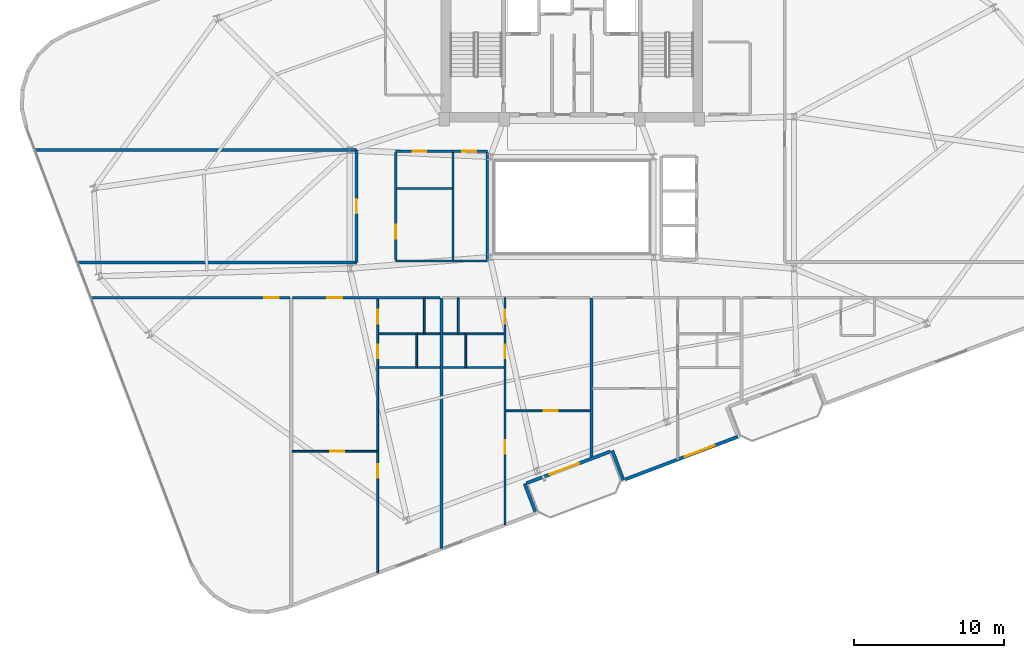
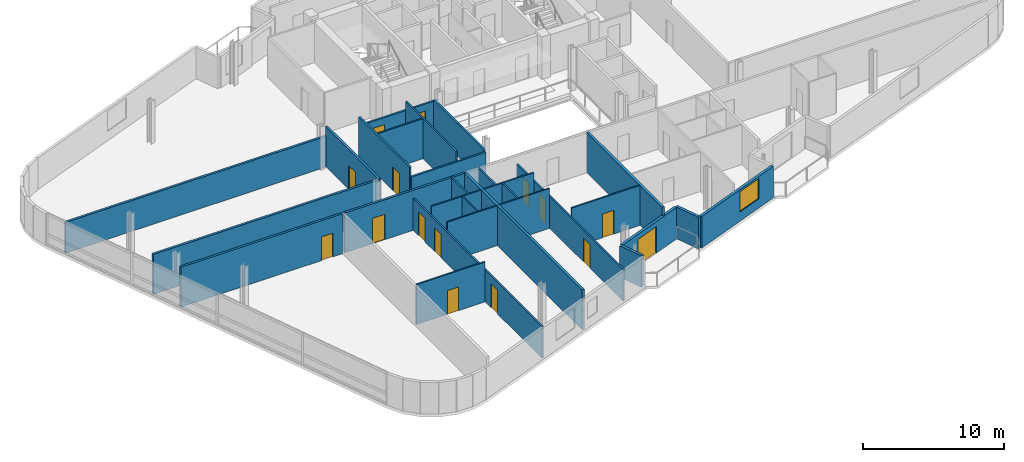
# One storey, part 14 of 20: 29 walls, 15 doors, 1 window, 16 openings.
"""IFC4 building model written with IfcOpenShell, lengths in metres."""

import ifcopenshell
import ifcopenshell.guid

model = None  # the IFC model being written
_history = None  # IfcOwnerHistory: only IFC2X3 demands one
_inside = {}  # id of a spatial element -> (the spatial element, [elements in it])
_under = {}  # id of a project, library or spatial element -> (it, [spatial elements below it])
_declared = {}  # id of a project -> (the project, [libraries it declares])
_typed = {}  # id of a type object -> (the type object, [elements of that type])
_made_of = {}  # id of a material, layer set ... -> (it, [elements and type objects made of it])


def new_model(schema):
    """Start an empty IFC model of exactly this schema.

    Asked for "IFC4X3", IfcOpenShell would pick the latest addendum, in which some entities
    have other attributes; the version numbers below select the first issue.
    IFC2X3 requires an IfcOwnerHistory on every rooted entity: one is made here for all.
    """
    global model, _history
    if schema == "IFC4X3":
        model = ifcopenshell.file(schema_version=(4, 3, 0, 0))
    else:
        model = ifcopenshell.file(schema=schema)
    _inside.clear()
    _under.clear()
    _declared.clear()
    _typed.clear()
    _made_of.clear()
    _history = None
    if model.schema == "IFC2X3":
        org = make("IfcOrganization", Name="unknown")
        user = make(
            "IfcPersonAndOrganization",
            ThePerson=make("IfcPerson", FamilyName="unknown"),
            TheOrganization=org,
        )
        app = make(
            "IfcApplication",
            ApplicationDeveloper=org,
            Version="unknown",
            ApplicationFullName="unknown",
            ApplicationIdentifier="unknown",
        )
        _history = make(
            "IfcOwnerHistory",
            OwningUser=user,
            OwningApplication=app,
            ChangeAction="ADDED",
            CreationDate=0,
        )
    return model


def make(cls, **values):
    """One entity of the class cls with the attributes given. An attribute that is None is left unset."""
    return model.create_entity(
        cls, **{name: value for name, value in values.items() if value is not None}
    )


def rooted(cls, **values):
    """An entity with a GlobalId (a new one), such as an element, a storey or a relation."""
    return make(cls, GlobalId=ifcopenshell.guid.new(), OwnerHistory=_history, **values)


def si_unit(unit_type, name, prefix=None):
    """IfcSIUnit, for example si_unit("LENGTHUNIT", "METRE", prefix="MILLI")."""
    return make("IfcSIUnit", UnitType=unit_type, Prefix=prefix, Name=name)


def assignment(units):
    """IfcUnitAssignment: the units of a project."""
    return None if units is None else make("IfcUnitAssignment", Units=units)


def point(xyz):
    """IfcCartesianPoint."""
    return None if xyz is None else make("IfcCartesianPoint", Coordinates=xyz)


def direction(xyz):
    """IfcDirection."""
    return None if xyz is None else make("IfcDirection", DirectionRatios=xyz)


def frame(location, z_axis=None, x_axis=None):
    """IfcAxis2Placement3D, a coordinate frame: its origin and axes. An axis left out is left unset."""
    return make(
        "IfcAxis2Placement3D",
        Location=point(location),
        Axis=direction(z_axis),
        RefDirection=direction(x_axis),
    )


def frame_2d(location, x_axis=None):
    """IfcAxis2Placement2D, a coordinate frame in the plane: its origin and x axis."""
    return make(
        "IfcAxis2Placement2D", Location=point(location), RefDirection=direction(x_axis)
    )


def origin():
    """The frame at (0, 0, 0) with its axes left unset."""
    return frame((0.0, 0.0, 0.0))


def place(relative_to, where):
    """IfcLocalPlacement: puts the frame where relative to a parent placement (None: the world)."""
    return make(
        "IfcLocalPlacement", PlacementRelTo=relative_to, RelativePlacement=where
    )


def context(
    kind, dimensions, precision=None, world=None, true_north=None, identifier=None
):
    """IfcGeometricRepresentationContext, for example the 3D "Model" context."""
    return make(
        "IfcGeometricRepresentationContext",
        ContextIdentifier=identifier,
        ContextType=kind,
        CoordinateSpaceDimension=dimensions,
        Precision=precision,
        WorldCoordinateSystem=world,
        TrueNorth=true_north,
    )


def subcontext(parent, identifier, kind, view, scale=None):
    """IfcGeometricRepresentationSubContext, for example "Body" below "Model"."""
    return make(
        "IfcGeometricRepresentationSubContext",
        ContextIdentifier=identifier,
        ContextType=kind,
        ParentContext=parent,
        TargetScale=scale,
        TargetView=view,
    )


def project(units=None, contexts=None):
    """IfcProject with its units and contexts."""
    return rooted(
        "IfcProject",
        Name="project",
        RepresentationContexts=contexts,
        UnitsInContext=assignment(units),
    )


def spatial(cls, under=None, at=None, **own):
    """A site, building, storey or space (cls), placed at a placement, below another one or the project."""
    s = rooted(cls, ObjectPlacement=at, **own)
    if under is not None:
        _under.setdefault(under.id(), (under, []))[1].append(s)
    return s


def profile(cls, at=None, kind="AREA", **sizes):
    """A parametric profile (cls). Its sizes go by their IFC names, for example OverallWidth=200.0."""
    return make(cls, ProfileType=kind, Position=at, **sizes)


def rectangle(**sizes):
    """IfcRectangleProfileDef."""
    return profile("IfcRectangleProfileDef", **sizes)


def extrude(swept, where, along, depth):
    """IfcExtrudedAreaSolid: the profile swept, set in the frame where, extruded along a direction by depth."""
    return make(
        "IfcExtrudedAreaSolid",
        SweptArea=swept,
        Position=where,
        ExtrudedDirection=direction(along),
        Depth=depth,
    )


def shape(context_of_items, identifier, shape_type, items):
    """IfcShapeRepresentation: the items that make up one representation, for example the "Body"."""
    return make(
        "IfcShapeRepresentation",
        ContextOfItems=context_of_items,
        RepresentationIdentifier=identifier,
        RepresentationType=shape_type,
        Items=items,
    )


def material(Name=None, Category=None):
    """IfcMaterial."""
    return make("IfcMaterial", Name=Name, Category=Category)


def layer(
    of_material, thickness, ventilated=None, Name=None, Category=None, Priority=None
):
    """IfcMaterialLayer: one layer of a wall or slab, of a material (None: an air gap)."""
    return make(
        "IfcMaterialLayer",
        Material=of_material,
        LayerThickness=thickness,
        IsVentilated=ventilated,
        Name=Name,
        Category=Category,
        Priority=Priority,
    )


def layer_set(layers, Name=None):
    """IfcMaterialLayerSet."""
    return make("IfcMaterialLayerSet", MaterialLayers=layers, LayerSetName=Name)


def made_of(thing, what):
    """Note that an element or type object is made of a material, layer set ...; save() writes the relation."""
    if what is not None:
        _made_of.setdefault(what.id(), (what, []))[1].append(thing)
    return thing


def type_object(cls, material=None, **own):
    """A type object (cls), such as IfcWallType, which elements share."""
    return made_of(rooted(cls, **own), material)


def element(
    cls,
    number,
    at=None,
    inside=None,
    cuts=None,
    type_object=None,
    material=None,
    context=None,
    identifier="Body",
    shape_type=None,
    held_by="IfcProductDefinitionShape",
    body=None,
    shapes=None,
    **own,
):
    """One element of the class cls, such as IfcWall. Its Tag is "e" and its number.

    at: its placement. inside: the storey or other place that contains it. cuts: it is an
    opening in that element (IfcRelVoidsElement). A single representation is given by context,
    identifier, shape_type and body (its items); several are given by shapes. held_by: the class
    of the entity that holds the representations. save() writes the other relations.
    """
    e = rooted(cls, Tag="e%d" % number, ObjectPlacement=at, **own)
    if body is not None:
        shapes = [shape(context, identifier, shape_type, body)]
    if shapes is not None:
        e.Representation = make(held_by, Representations=shapes)
    if inside is not None:
        _inside.setdefault(inside.id(), (inside, []))[1].append(e)
    if cuts is not None:
        rooted(
            "IfcRelVoidsElement", RelatingBuildingElement=cuts, RelatedOpeningElement=e
        )
    if type_object is not None:
        _typed.setdefault(type_object.id(), (type_object, []))[1].append(e)
    return made_of(e, material)


def fill(opening, filler):
    """IfcRelFillsElement: the door or window that sits in an opening."""
    return rooted(
        "IfcRelFillsElement",
        RelatingOpeningElement=opening,
        RelatedBuildingElement=filler,
    )


def aggregate(whole, parts):
    """IfcRelAggregates: a whole, such as a stair, and the parts it consists of."""
    return rooted("IfcRelAggregates", RelatingObject=whole, RelatedObjects=parts)


def save(model, path):
    """Write the relations noted so far, then the file.

    IfcRelAggregates (storeys below a building ...), IfcRelContainedInSpatialStructure (elements
    in a storey), IfcRelDefinesByType, IfcRelAssociatesMaterial and IfcRelDeclares: one each for
    every whole, place, type object, material and project.
    """
    for whole, parts in _under.values():
        aggregate(whole, parts)
    for where, things in _inside.values():
        rooted(
            "IfcRelContainedInSpatialStructure",
            RelatedElements=things,
            RelatingStructure=where,
        )
    for kind, things in _typed.values():
        rooted("IfcRelDefinesByType", RelatedObjects=things, RelatingType=kind)
    for what, things in _made_of.values():
        rooted("IfcRelAssociatesMaterial", RelatedObjects=things, RelatingMaterial=what)
    for by, libraries in _declared.values():
        rooted("IfcRelDeclares", RelatingContext=by, RelatedDefinitions=libraries)
    model.write(path)


model = new_model("IFC4")

# Units and contexts
model_context = context("Model", 3, precision=1e-05, world=origin(), true_north=direction((0.0, 1.0)))
body_context = subcontext(model_context, "Body", "Model", "MODEL_VIEW")
ifc_project = project(units=[si_unit("LENGTHUNIT", "METRE"), si_unit("AREAUNIT", "SQUARE_METRE"), si_unit("VOLUMEUNIT", "CUBIC_METRE"), si_unit("PLANEANGLEUNIT", "RADIAN"), si_unit("MASSUNIT", "GRAM", prefix="KILO")], contexts=[model_context])

# Site, building, storey
site_placement = place(None, origin())
site = spatial("IfcSite", under=ifc_project, at=site_placement, CompositionType="ELEMENT")
building_placement = place(site_placement, origin())
building = spatial("IfcBuilding", under=site, at=building_placement, Name="Varnelok Gate Tower", CompositionType="ELEMENT")
storey_placement = place(building_placement, frame((0.0, 0.0, 216.39990234375)))
storey = spatial("IfcBuildingStorey", under=building, at=storey_placement, Name="L55", CompositionType="ELEMENT", Elevation=216.39990234375)

# Wall, opening, door
ifc_material_1 = material(Name="Concrete C45/55", Category="concrete")
ifc_layer_1 = layer(ifc_material_1, 0.219970703125)
ifc_layer_set_1 = layer_set([ifc_layer_1], Name="Concrete C45/55")
wall_type_1 = type_object("IfcWallType", Name="EW-BALC-220", PredefinedType="SOLIDWALL", material=ifc_layer_set_1)
wall_1_placement = place(storey_placement, frame((41.783203125, 6.6142578125, 0.0), z_axis=(0.0, 0.0, 1.0), x_axis=(-0.93521416643, -0.354082565101, 0.0)))
wall_1 = element("IfcWall", 1, at=wall_1_placement, inside=storey, type_object=wall_type_1, Name="L55 South Terrace Envelope Wall 1", PredefinedType="SOLIDWALL", context=body_context, shape_type="SweptSolid", body=[
    extrude(rectangle(XDim=6.0, YDim=0.219970703125, at=frame_2d((3.0, 0.0))), origin(), (0.0, 0.0, 1.0), 2.72998046875),
])
opening_1_placement = place(wall_1_placement, frame((2.260009765625, 0.0, 0.0)))
opening_1 = element("IfcOpeningElement", 2, at=opening_1_placement, cuts=wall_1, Name="Opening BD-2", PredefinedType="OPENING", context=body_context, shape_type="SweptSolid", body=[
    extrude(rectangle(XDim=2.10009765625, YDim=2.300048828125, at=frame_2d((1.050048828125, 1.14990234375))), frame((0.0, 0.119873046875, 0.0), z_axis=(0.0, -1.0, 0.0), x_axis=(1.0, 0.0, 0.0)), (0.0, 0.0, 1.0), 0.239990234375),
])
ifc_material_2 = material(Name="Anodized Aluminum Alloy 6063-T6", Category="aluminium")
door_type_1 = type_object("IfcDoorType", Name="DR-EXT-SLID2100", OperationType="SLIDING_TO_LEFT", PredefinedType="DOOR", material=ifc_material_2)
door_1_placement = place(opening_1_placement, origin())
door_1 = element("IfcDoor", 3, at=door_1_placement, inside=storey, type_object=door_type_1, Name="L55 South Balcony Glazed Door 1", OperationType="SLIDING_TO_LEFT", OverallHeight=2.300048828125, OverallWidth=2.10009765625, PredefinedType="DOOR", context=body_context, shape_type="SweptSolid", body=[
    extrude(rectangle(XDim=2.10009765625, YDim=2.300048828125, at=frame_2d((1.050048828125, 1.14990234375))), frame((0.0, 0.02490234375, 0.0), z_axis=(0.0, -1.0, 0.0), x_axis=(1.0, 0.0, 0.0)), (0.0, 0.0, 1.0), 0.050048828125),
])
fill(opening_1, door_1)

# Walls
wall_2_placement = place(storey_placement, frame((36.75537109375, 2.609619140625, 0.0), z_axis=(0.0, 0.0, 1.0), x_axis=(-0.354020680661, 0.935237594232, 0.0)))
element("IfcWall", 4, at=wall_2_placement, inside=storey, type_object=wall_type_1, Name="L55 Perimeter Facade Closure Wall 8", PredefinedType="SOLIDWALL", context=body_context, shape_type="SweptSolid", body=[
    extrude(rectangle(XDim=1.97509765625, YDim=0.219970703125, at=frame_2d((0.987548828125, 0.0))), origin(), (0.0, 0.0, 1.0), 2.72998046875),
])
wall_3_placement = place(storey_placement, frame((41.891845703125, 6.666015625, 0.0), z_axis=(0.0, 0.0, 1.0), x_axis=(0.354128469405, -0.935196785258, 0.0)))
element("IfcWall", 5, at=wall_3_placement, inside=storey, type_object=wall_type_1, Name="L55 Perimeter Facade Closure Wall 9", PredefinedType="SOLIDWALL", context=body_context, shape_type="SweptSolid", body=[
    extrude(rectangle(XDim=2.099853515625, YDim=0.219970703125, at=frame_2d((1.0498046875, 0.0))), origin(), (0.0, 0.0, 1.0), 2.72998046875),
])

# Wall, opening, window
wall_4_placement = place(storey_placement, frame((42.75244140625, 4.746337890625, 0.0), z_axis=(0.0, 0.0, 1.0), x_axis=(0.935216926991, 0.354075273733, 0.0)))
wall_4 = element("IfcWall", 6, at=wall_4_placement, inside=storey, type_object=wall_type_1, Name="L55 Perimeter Facade Closure Wall 10", PredefinedType="SOLIDWALL", context=body_context, shape_type="SweptSolid", body=[
    extrude(rectangle(XDim=8.034912109375, YDim=0.219970703125, at=frame_2d((4.017578125, 0.0))), origin(), (0.0, 0.0, 1.0), 2.72998046875),
])
opening_2_placement = place(wall_4_placement, frame((4.273193359375, 0.0, 0.800048828125)))
opening_2 = element("IfcOpeningElement", 7, at=opening_2_placement, cuts=wall_4, Name="Opening WN4", PredefinedType="OPENING", context=body_context, shape_type="SweptSolid", body=[
    extrude(rectangle(XDim=2.10009765625, YDim=1.75, at=frame_2d((1.050048828125, 0.875))), frame((0.0, 0.119873046875, 0.0), z_axis=(0.0, -1.0, 0.0), x_axis=(1.0, 0.0, 0.0)), (0.0, 0.0, 1.0), 0.239990234375),
])
ifc_material_3 = material(Name="Low-E Laminated Double Glazing IGU", Category="glass")
window_type = type_object("IfcWindowType", Name="WN-SUI-2100", PartitioningType="SINGLE_PANEL", PredefinedType="WINDOW", material=ifc_material_3)
window_placement = place(opening_2_placement, origin())
window = element("IfcWindow", 8, at=window_placement, inside=storey, type_object=window_type, Name="L55 Perimeter Vision Window 10", OverallHeight=1.75, OverallWidth=2.10009765625, PartitioningType="SINGLE_PANEL", PredefinedType="WINDOW", context=body_context, shape_type="SweptSolid", body=[
    extrude(rectangle(XDim=2.10009765625, YDim=1.75, at=frame_2d((1.050048828125, 0.875))), frame((0.0, 0.030029296875, 0.0), z_axis=(0.0, -1.0, 0.0), x_axis=(1.0, 0.0, 0.0)), (0.0, 0.0, 1.0), 0.06005859375),
])
fill(opening_2, window)

# Wall, opening, door
ifc_material_4 = material(Name="Gypsum Plasterboard Acoustic Partition", Category="gypsum")
ifc_layer_2 = layer(ifc_material_4, 0.179931640625)
ifc_layer_set_2 = layer_set([ifc_layer_2], Name="Gypsum Plasterboard Acoustic Partition")
wall_type_2 = type_object("IfcWallType", Name="PW-CORR-180", PredefinedType="PARTITIONING", material=ifc_layer_set_2)
wall_5_placement = place(storey_placement, frame((7.196044921875, 16.85009765625, 0.0), z_axis=(0.0, 0.0, 1.0), x_axis=(1.0, 0.0, 0.0)))
wall_5 = element("IfcWall", 9, at=wall_5_placement, inside=storey, type_object=wall_type_2, Name="Interior Partition", PredefinedType="PARTITIONING", context=body_context, shape_type="SweptSolid", body=[
    extrude(rectangle(XDim=13.223876953125, YDim=0.179931640625, at=frame_2d((6.61181640625, 0.0))), origin(), (0.0, 0.0, 1.0), 3.4501953125),
])
opening_3_placement = place(wall_5_placement, frame((11.50390625, 0.0, 0.0)))
opening_3 = element("IfcOpeningElement", 10, at=opening_3_placement, cuts=wall_5, Name="Opening D-I2", PredefinedType="OPENING", context=body_context, shape_type="SweptSolid", body=[
    extrude(rectangle(XDim=0.949951171875, YDim=2.050048828125, at=frame_2d((0.47509765625, 1.02490234375))), frame((0.0, 0.099853515625, 0.0), z_axis=(0.0, -1.0, 0.0), x_axis=(1.0, 0.0, 0.0)), (0.0, 0.0, 1.0), 0.199951171875),
])
ifc_material_5 = material(Name="Engineered Hardwood Timber", Category="wood")
door_type_2 = type_object("IfcDoorType", Name="DR-INT-950", OperationType="NOTDEFINED", PredefinedType="DOOR", material=ifc_material_5)
door_2_placement = place(opening_3_placement, origin())
door_2 = element("IfcDoor", 11, at=door_2_placement, inside=storey, type_object=door_type_2, Name="L55 Wellness Spa Lounge Door", OperationType="SINGLE_SWING_LEFT", OverallHeight=2.050048828125, OverallWidth=0.949951171875, PredefinedType="DOOR", context=body_context, shape_type="SweptSolid", body=[
    extrude(rectangle(XDim=0.949951171875, YDim=2.050048828125, at=frame_2d((0.47509765625, 1.02490234375))), frame((0.0, 0.02490234375, 0.0), z_axis=(0.0, -1.0, 0.0), x_axis=(1.0, 0.0, 0.0)), (0.0, 0.0, 1.0), 0.050048828125),
])
fill(opening_3, door_2)

wall_6_placement = place(storey_placement, frame((20.580078125, 16.85009765625, 0.0), z_axis=(0.0, 0.0, 1.0), x_axis=(1.0, 0.0, 0.0)))
wall_6 = element("IfcWall", 12, at=wall_6_placement, inside=storey, type_object=wall_type_2, Name="Interior Partition", PredefinedType="PARTITIONING", context=body_context, shape_type="SweptSolid", body=[
    extrude(rectangle(XDim=9.83984375, YDim=0.179931640625, at=frame_2d((4.919921875, 0.0))), origin(), (0.0, 0.0, 1.0), 3.4501953125),
])
opening_4_placement = place(wall_6_placement, frame((2.302490234375, 0.0, 0.0)))
opening_4 = element("IfcOpeningElement", 13, at=opening_4_placement, cuts=wall_6, Name="Opening D-AP", PredefinedType="OPENING", context=body_context, shape_type="SweptSolid", body=[
    extrude(rectangle(XDim=1.0, YDim=2.199951171875, at=frame_2d((0.5, 1.10009765625))), frame((0.0, 0.099853515625, 0.0), z_axis=(0.0, -1.0, 0.0), x_axis=(1.0, 0.0, 0.0)), (0.0, 0.0, 1.0), 0.199951171875),
])
door_type_3 = type_object("IfcDoorType", Name="DR-APT-1000", OperationType="NOTDEFINED", PredefinedType="DOOR", material=ifc_material_5)
door_3_placement = place(opening_4_placement, origin())
door_3 = element("IfcDoor", 14, at=door_3_placement, inside=storey, type_object=door_type_3, Name="L55 Apartment 2 Entrance Door", OperationType="SINGLE_SWING_LEFT", OverallHeight=2.199951171875, OverallWidth=1.0, PredefinedType="DOOR", context=body_context, shape_type="SweptSolid", body=[
    extrude(rectangle(XDim=1.0, YDim=2.199951171875, at=frame_2d((0.5, 1.10009765625))), frame((0.0, 0.02490234375, 0.0), z_axis=(0.0, -1.0, 0.0), x_axis=(1.0, 0.0, 0.0)), (0.0, 0.0, 1.0), 0.050048828125),
])
fill(opening_4, door_3)

wall_7_placement = place(storey_placement, frame((24.85009765625, 19.199951171875, 0.0), z_axis=(0.0, 0.0, 1.0), x_axis=(0.0, 1.0, 0.0)))
wall_7 = element("IfcWall", 15, at=wall_7_placement, inside=storey, type_object=wall_type_2, Name="Interior Partition", PredefinedType="PARTITIONING", context=body_context, shape_type="SweptSolid", body=[
    extrude(rectangle(XDim=7.5, YDim=0.179931640625, at=frame_2d((3.75, 0.0))), origin(), (0.0, 0.0, 1.0), 3.4501953125),
])
opening_5_placement = place(wall_7_placement, frame((3.27490234375, 0.0, 0.0)))
opening_5 = element("IfcOpeningElement", 16, at=opening_5_placement, cuts=wall_7, Name="Opening D-I2", PredefinedType="OPENING", context=body_context, shape_type="SweptSolid", body=[
    extrude(rectangle(XDim=0.949951171875, YDim=2.050048828125, at=frame_2d((0.47509765625, 1.02490234375))), frame((0.0, 0.099853515625, 0.0), z_axis=(0.0, -1.0, 0.0), x_axis=(1.0, 0.0, 0.0)), (0.0, 0.0, 1.0), 0.199951171875),
])
door_4_placement = place(opening_5_placement, origin())
door_4 = element("IfcDoor", 17, at=door_4_placement, inside=storey, type_object=door_type_2, Name="L55 West Flank Room Door", OperationType="SINGLE_SWING_LEFT", OverallHeight=2.050048828125, OverallWidth=0.949951171875, PredefinedType="DOOR", context=body_context, shape_type="SweptSolid", body=[
    extrude(rectangle(XDim=0.949951171875, YDim=2.050048828125, at=frame_2d((0.47509765625, 1.02490234375))), frame((0.0, 0.02490234375, 0.0), z_axis=(0.0, -1.0, 0.0), x_axis=(1.0, 0.0, 0.0)), (0.0, 0.0, 1.0), 0.050048828125),
])
fill(opening_5, door_4)

# Walls
wall_8_placement = place(storey_placement, frame((6.306396484375, 19.199951171875, 0.0), z_axis=(0.0, 0.0, 1.0), x_axis=(1.0, 0.0, 0.0)))
element("IfcWall", 18, at=wall_8_placement, inside=storey, type_object=wall_type_2, Name="Interior Partition", PredefinedType="PARTITIONING", context=body_context, shape_type="SweptSolid", body=[
    extrude(rectangle(XDim=18.543701171875, YDim=0.179931640625, at=frame_2d((9.27197265625, 0.0))), origin(), (0.0, 0.0, 1.0), 3.4501953125),
])
wall_9_placement = place(storey_placement, frame((3.467041015625, 26.699951171875, 0.0), z_axis=(0.0, 0.0, 1.0), x_axis=(1.0, 0.0, 0.0)))
element("IfcWall", 19, at=wall_9_placement, inside=storey, type_object=wall_type_2, Name="Interior Partition", PredefinedType="PARTITIONING", context=body_context, shape_type="SweptSolid", body=[
    extrude(rectangle(XDim=21.383056640625, YDim=0.179931640625, at=frame_2d((10.69140625, 0.0))), origin(), (0.0, 0.0, 1.0), 2.662109375),
])
ifc_layer_3 = layer(ifc_material_4, 0.114990234375)
ifc_layer_set_3 = layer_set([ifc_layer_3], Name="Gypsum Plasterboard Acoustic Partition")
wall_type_3 = type_object("IfcWallType", Name="PW-ENS-125", PredefinedType="PARTITIONING", material=ifc_layer_set_3)
wall_10_placement = place(storey_placement, frame((26.3251953125, 12.199951171875, 0.0), z_axis=(0.0, 0.0, 1.0), x_axis=(1.0, 0.0, 0.0)))
element("IfcWall", 20, at=wall_10_placement, inside=storey, type_object=wall_type_3, Name="Interior Partition", PredefinedType="PARTITIONING", context=body_context, shape_type="SweptSolid", body=[
    extrude(rectangle(XDim=4.0947265625, YDim=0.114990234375, at=frame_2d((2.04736328125, 0.0))), origin(), (0.0, 0.0, 1.0), 3.4501953125),
])
wall_11_placement = place(storey_placement, frame((28.865234375, 12.199951171875, 0.0), z_axis=(0.0, 0.0, 1.0), x_axis=(0.0, 1.0, 0.0)))
element("IfcWall", 21, at=wall_11_placement, inside=storey, type_object=wall_type_3, Name="Interior Partition", PredefinedType="PARTITIONING", context=body_context, shape_type="SweptSolid", body=[
    extrude(rectangle(XDim=2.239990234375, YDim=0.114990234375, at=frame_2d((1.1201171875, 0.0))), origin(), (0.0, 0.0, 1.0), 3.4501953125),
])
wall_12_placement = place(storey_placement, frame((30.580078125, 12.199951171875, 0.0), z_axis=(0.0, 0.0, 1.0), x_axis=(1.0, 0.0, 0.0)))
element("IfcWall", 22, at=wall_12_placement, inside=storey, type_object=wall_type_3, Name="Interior Partition", PredefinedType="PARTITIONING", context=body_context, shape_type="SweptSolid", body=[
    extrude(rectangle(XDim=4.0947265625, YDim=0.114990234375, at=frame_2d((2.04736328125, 0.0))), origin(), (0.0, 0.0, 1.0), 3.4501953125),
])
wall_13_placement = place(storey_placement, frame((32.134765625, 12.199951171875, 0.0), z_axis=(0.0, 0.0, 1.0), x_axis=(0.0, 1.0, 0.0)))
element("IfcWall", 23, at=wall_13_placement, inside=storey, type_object=wall_type_3, Name="Interior Partition", PredefinedType="PARTITIONING", context=body_context, shape_type="SweptSolid", body=[
    extrude(rectangle(XDim=2.239990234375, YDim=0.114990234375, at=frame_2d((1.1201171875, 0.0))), origin(), (0.0, 0.0, 1.0), 3.4501953125),
])

# Wall, opening, door
ifc_layer_4 = layer(ifc_material_4, 0.125)
ifc_layer_set_4 = layer_set([ifc_layer_4], Name="Gypsum Plasterboard Acoustic Partition")
wall_type_4 = type_object("IfcWallType", Name="PW-PART-125", PredefinedType="PARTITIONING", material=ifc_layer_set_4)
wall_14_placement = place(storey_placement, frame((20.580078125, 6.62255859375, 0.0), z_axis=(0.0, 0.0, 1.0), x_axis=(1.0, 0.0, 0.0)))
wall_14 = element("IfcWall", 24, at=wall_14_placement, inside=storey, type_object=wall_type_4, Name="Interior Partition", PredefinedType="PARTITIONING", context=body_context, shape_type="SweptSolid", body=[
    extrude(rectangle(XDim=5.605224609375, YDim=0.125, at=frame_2d((2.802734375, 0.0))), origin(), (0.0, 0.0, 1.0), 3.4501953125),
])
opening_6_placement = place(wall_14_placement, frame((2.522216796875, 0.0, 0.0)))
opening_6 = element("IfcOpeningElement", 25, at=opening_6_placement, cuts=wall_14, Name="Opening D-I3", PredefinedType="OPENING", context=body_context, shape_type="SweptSolid", body=[
    extrude(rectangle(XDim=0.919921875, YDim=2.050048828125, at=frame_2d((0.4599609375, 1.02490234375))), frame((0.0, 0.072509765625, 0.0), z_axis=(0.0, -1.0, 0.0), x_axis=(1.0, 0.0, 0.0)), (0.0, 0.0, 1.0), 0.14501953125),
])
door_type_4 = type_object("IfcDoorType", Name="DR-INT-920", OperationType="NOTDEFINED", PredefinedType="DOOR", material=ifc_material_5)
door_5_placement = place(opening_6_placement, origin())
door_5 = element("IfcDoor", 26, at=door_5_placement, inside=storey, type_object=door_type_4, Name="L55 Apartment 2 Study Door", OperationType="SINGLE_SWING_LEFT", OverallHeight=2.050048828125, OverallWidth=0.919921875, PredefinedType="DOOR", context=body_context, shape_type="SweptSolid", body=[
    extrude(rectangle(XDim=0.919921875, YDim=2.050048828125, at=frame_2d((0.4599609375, 1.02490234375))), frame((0.0, 0.02490234375, 0.0), z_axis=(0.0, -1.0, 0.0), x_axis=(1.0, 0.0, 0.0)), (0.0, 0.0, 1.0), 0.050048828125),
])
fill(opening_6, door_5)

# Wall, openings, doors
wall_15_placement = place(storey_placement, frame((26.255126953125, -1.477783203125, 0.0), z_axis=(0.0, 0.0, 1.0), x_axis=(0.0, 1.0, 0.0)))
wall_15 = element("IfcWall", 27, at=wall_15_placement, inside=storey, type_object=wall_type_4, Name="Interior Partition", PredefinedType="PARTITIONING", context=body_context, shape_type="SweptSolid", body=[
    extrude(rectangle(XDim=18.327880859375, YDim=0.125, at=frame_2d((9.1640625, 0.0))), origin(), (0.0, 0.0, 1.0), 2.739013671875),
])
opening_7_placement = place(wall_15_placement, frame((6.319091796875, 0.0, 0.0)))
opening_7 = element("IfcOpeningElement", 28, at=opening_7_placement, cuts=wall_15, Name="Opening D-I3", PredefinedType="OPENING", context=body_context, shape_type="SweptSolid", body=[
    extrude(rectangle(XDim=0.919921875, YDim=2.050048828125, at=frame_2d((0.4599609375, 1.02490234375))), frame((0.0, 0.072509765625, 0.0), z_axis=(0.0, -1.0, 0.0), x_axis=(1.0, 0.0, 0.0)), (0.0, 0.0, 1.0), 0.14501953125),
])
opening_8_placement = place(wall_15_placement, frame((14.30517578125, 0.0, 0.0)))
opening_8 = element("IfcOpeningElement", 29, at=opening_8_placement, cuts=wall_15, Name="Opening D-WC", PredefinedType="OPENING", context=body_context, shape_type="SweptSolid", body=[
    extrude(rectangle(XDim=0.89990234375, YDim=2.050048828125, at=frame_2d((0.449951171875, 1.02490234375))), frame((0.0, 0.072509765625, 0.0), z_axis=(0.0, -1.0, 0.0), x_axis=(1.0, 0.0, 0.0)), (0.0, 0.0, 1.0), 0.14501953125),
])
opening_9_placement = place(wall_15_placement, frame((16.597900390625, 0.0, 0.0)))
opening_9 = element("IfcOpeningElement", 30, at=opening_9_placement, cuts=wall_15, Name="Opening D-I3", PredefinedType="OPENING", context=body_context, shape_type="SweptSolid", body=[
    extrude(rectangle(XDim=0.919921875, YDim=2.050048828125, at=frame_2d((0.4599609375, 1.02490234375))), frame((0.0, 0.072509765625, 0.0), z_axis=(0.0, -1.0, 0.0), x_axis=(1.0, 0.0, 0.0)), (0.0, 0.0, 1.0), 0.14501953125),
])
door_type_5 = type_object("IfcDoorType", Name="DR-BATH-900", OperationType="NOTDEFINED", PredefinedType="DOOR", material=ifc_material_5)
door_6_placement = place(opening_8_placement, origin())
door_6 = element("IfcDoor", 31, at=door_6_placement, inside=storey, type_object=door_type_5, Name="L55 Apartment 2 Bathroom Door", OperationType="SINGLE_SWING_LEFT", OverallHeight=2.050048828125, OverallWidth=0.89990234375, PredefinedType="DOOR", context=body_context, shape_type="SweptSolid", body=[
    extrude(rectangle(XDim=0.89990234375, YDim=2.050048828125, at=frame_2d((0.449951171875, 1.02490234375))), frame((0.0, 0.02490234375, 0.0), z_axis=(0.0, -1.0, 0.0), x_axis=(1.0, 0.0, 0.0)), (0.0, 0.0, 1.0), 0.050048828125),
])
fill(opening_8, door_6)
door_7_placement = place(opening_7_placement, origin())
door_7 = element("IfcDoor", 32, at=door_7_placement, inside=storey, type_object=door_type_4, Name="L55 Apartment 2 Bedroom Door", OperationType="SINGLE_SWING_RIGHT", OverallHeight=2.050048828125, OverallWidth=0.919921875, PredefinedType="DOOR", context=body_context, shape_type="SweptSolid", body=[
    extrude(rectangle(XDim=0.919921875, YDim=2.050048828125, at=frame_2d((0.4599609375, 1.02490234375))), frame((0.0, 0.02490234375, 0.0), z_axis=(0.0, -1.0, 0.0), x_axis=(1.0, 0.0, 0.0)), (0.0, 0.0, 1.0), 0.050048828125),
])
fill(opening_7, door_7)
door_8_placement = place(opening_9_placement, origin())
door_8 = element("IfcDoor", 33, at=door_8_placement, inside=storey, type_object=door_type_4, Name="L55 Apartment 2 Kitchen Door", OperationType="SINGLE_SWING_RIGHT", OverallHeight=2.050048828125, OverallWidth=0.919921875, PredefinedType="DOOR", context=body_context, shape_type="SweptSolid", body=[
    extrude(rectangle(XDim=0.919921875, YDim=2.050048828125, at=frame_2d((0.4599609375, 1.02490234375))), frame((0.0, 0.02490234375, 0.0), z_axis=(0.0, -1.0, 0.0), x_axis=(1.0, 0.0, 0.0)), (0.0, 0.0, 1.0), 0.050048828125),
])
fill(opening_9, door_8)

# Walls
wall_16_placement = place(storey_placement, frame((26.3251953125, 14.43994140625, 0.0), z_axis=(0.0, 0.0, 1.0), x_axis=(1.0, 0.0, 0.0)))
element("IfcWall", 34, at=wall_16_placement, inside=storey, type_object=wall_type_4, Name="Interior Partition", PredefinedType="PARTITIONING", context=body_context, shape_type="SweptSolid", body=[
    extrude(rectangle(XDim=4.0947265625, YDim=0.125, at=frame_2d((2.04736328125, 0.0))), origin(), (0.0, 0.0, 1.0), 3.4501953125),
])
wall_17_placement = place(storey_placement, frame((29.365234375, 14.43994140625, 0.0), z_axis=(0.0, 0.0, 1.0), x_axis=(0.0, 1.0, 0.0)))
element("IfcWall", 35, at=wall_17_placement, inside=storey, type_object=wall_type_4, Name="Interior Partition", PredefinedType="PARTITIONING", context=body_context, shape_type="SweptSolid", body=[
    extrude(rectangle(XDim=2.41015625, YDim=0.125, at=frame_2d((1.205078125, 0.0))), origin(), (0.0, 0.0, 1.0), 3.4501953125),
])

# Wall, opening, door
wall_18_placement = place(storey_placement, frame((34.814697265625, 9.31689453125, 0.0), z_axis=(0.0, 0.0, 1.0), x_axis=(1.0, 0.0, 0.0)))
wall_18 = element("IfcWall", 36, at=wall_18_placement, inside=storey, type_object=wall_type_4, Name="Interior Partition", PredefinedType="PARTITIONING", context=body_context, shape_type="SweptSolid", body=[
    extrude(rectangle(XDim=5.605224609375, YDim=0.125, at=frame_2d((2.802734375, 0.0))), origin(), (0.0, 0.0, 1.0), 3.4501953125),
])
opening_10_placement = place(wall_18_placement, frame((2.522216796875, 0.0, 0.0)))
opening_10 = element("IfcOpeningElement", 37, at=opening_10_placement, cuts=wall_18, Name="Opening D-I3", PredefinedType="OPENING", context=body_context, shape_type="SweptSolid", body=[
    extrude(rectangle(XDim=0.919921875, YDim=2.050048828125, at=frame_2d((0.4599609375, 1.02490234375))), frame((0.0, 0.072509765625, 0.0), z_axis=(0.0, -1.0, 0.0), x_axis=(1.0, 0.0, 0.0)), (0.0, 0.0, 1.0), 0.14501953125),
])
door_9_placement = place(opening_10_placement, origin())
door_9 = element("IfcDoor", 38, at=door_9_placement, inside=storey, type_object=door_type_4, Name="L55 Apartment 3 Study Door", OperationType="SINGLE_SWING_LEFT", OverallHeight=2.050048828125, OverallWidth=0.919921875, PredefinedType="DOOR", context=body_context, shape_type="SweptSolid", body=[
    extrude(rectangle(XDim=0.919921875, YDim=2.050048828125, at=frame_2d((0.4599609375, 1.02490234375))), frame((0.0, 0.02490234375, 0.0), z_axis=(0.0, -1.0, 0.0), x_axis=(1.0, 0.0, 0.0)), (0.0, 0.0, 1.0), 0.050048828125),
])
fill(opening_10, door_9)

# Wall, openings, doors
wall_19_placement = place(storey_placement, frame((34.744873046875, 1.736083984375, 0.0), z_axis=(0.0, 0.0, 1.0), x_axis=(0.0, 1.0, 0.0)))
wall_19 = element("IfcWall", 39, at=wall_19_placement, inside=storey, type_object=wall_type_4, Name="Interior Partition", PredefinedType="PARTITIONING", context=body_context, shape_type="SweptSolid", body=[
    extrude(rectangle(XDim=15.114013671875, YDim=0.125, at=frame_2d((7.55712890625, 0.0))), origin(), (0.0, 0.0, 1.0), 2.739013671875),
])
opening_11_placement = place(wall_19_placement, frame((4.7119140625, 0.0, 0.0)))
opening_11 = element("IfcOpeningElement", 40, at=opening_11_placement, cuts=wall_19, Name="Opening D-I3", PredefinedType="OPENING", context=body_context, shape_type="SweptSolid", body=[
    extrude(rectangle(XDim=0.919921875, YDim=2.050048828125, at=frame_2d((0.4599609375, 1.02490234375))), frame((0.0, 0.072509765625, 0.0), z_axis=(0.0, -1.0, 0.0), x_axis=(1.0, 0.0, 0.0)), (0.0, 0.0, 1.0), 0.14501953125),
])
opening_12_placement = place(wall_19_placement, frame((11.091064453125, 0.0, 0.0)))
opening_12 = element("IfcOpeningElement", 41, at=opening_12_placement, cuts=wall_19, Name="Opening D-WC", PredefinedType="OPENING", context=body_context, shape_type="SweptSolid", body=[
    extrude(rectangle(XDim=0.89990234375, YDim=2.050048828125, at=frame_2d((0.449951171875, 1.02490234375))), frame((0.0, 0.072509765625, 0.0), z_axis=(0.0, -1.0, 0.0), x_axis=(1.0, 0.0, 0.0)), (0.0, 0.0, 1.0), 0.14501953125),
])
opening_13_placement = place(wall_19_placement, frame((13.3837890625, 0.0, 0.0)))
opening_13 = element("IfcOpeningElement", 42, at=opening_13_placement, cuts=wall_19, Name="Opening D-I3", PredefinedType="OPENING", context=body_context, shape_type="SweptSolid", body=[
    extrude(rectangle(XDim=0.919921875, YDim=2.050048828125, at=frame_2d((0.4599609375, 1.02490234375))), frame((0.0, 0.072509765625, 0.0), z_axis=(0.0, -1.0, 0.0), x_axis=(1.0, 0.0, 0.0)), (0.0, 0.0, 1.0), 0.14501953125),
])
door_10_placement = place(opening_12_placement, origin())
door_10 = element("IfcDoor", 43, at=door_10_placement, inside=storey, type_object=door_type_5, Name="L55 Apartment 3 Bathroom Door", OperationType="SINGLE_SWING_LEFT", OverallHeight=2.050048828125, OverallWidth=0.89990234375, PredefinedType="DOOR", context=body_context, shape_type="SweptSolid", body=[
    extrude(rectangle(XDim=0.89990234375, YDim=2.050048828125, at=frame_2d((0.449951171875, 1.02490234375))), frame((0.0, 0.02490234375, 0.0), z_axis=(0.0, -1.0, 0.0), x_axis=(1.0, 0.0, 0.0)), (0.0, 0.0, 1.0), 0.050048828125),
])
fill(opening_12, door_10)
door_11_placement = place(opening_11_placement, origin())
door_11 = element("IfcDoor", 44, at=door_11_placement, inside=storey, type_object=door_type_4, Name="L55 Apartment 3 Bedroom Door", OperationType="SINGLE_SWING_RIGHT", OverallHeight=2.050048828125, OverallWidth=0.919921875, PredefinedType="DOOR", context=body_context, shape_type="SweptSolid", body=[
    extrude(rectangle(XDim=0.919921875, YDim=2.050048828125, at=frame_2d((0.4599609375, 1.02490234375))), frame((0.0, 0.02490234375, 0.0), z_axis=(0.0, -1.0, 0.0), x_axis=(1.0, 0.0, 0.0)), (0.0, 0.0, 1.0), 0.050048828125),
])
fill(opening_11, door_11)
door_12_placement = place(opening_13_placement, origin())
door_12 = element("IfcDoor", 45, at=door_12_placement, inside=storey, type_object=door_type_4, Name="L55 Apartment 3 Kitchen Door", OperationType="SINGLE_SWING_RIGHT", OverallHeight=2.050048828125, OverallWidth=0.919921875, PredefinedType="DOOR", context=body_context, shape_type="SweptSolid", body=[
    extrude(rectangle(XDim=0.919921875, YDim=2.050048828125, at=frame_2d((0.4599609375, 1.02490234375))), frame((0.0, 0.02490234375, 0.0), z_axis=(0.0, -1.0, 0.0), x_axis=(1.0, 0.0, 0.0)), (0.0, 0.0, 1.0), 0.050048828125),
])
fill(opening_13, door_12)

# Walls
wall_20_placement = place(storey_placement, frame((30.580078125, 14.43994140625, 0.0), z_axis=(0.0, 0.0, 1.0), x_axis=(1.0, 0.0, 0.0)))
element("IfcWall", 46, at=wall_20_placement, inside=storey, type_object=wall_type_4, Name="Interior Partition", PredefinedType="PARTITIONING", context=body_context, shape_type="SweptSolid", body=[
    extrude(rectangle(XDim=4.0947265625, YDim=0.125, at=frame_2d((2.04736328125, 0.0))), origin(), (0.0, 0.0, 1.0), 3.4501953125),
])
wall_21_placement = place(storey_placement, frame((31.634765625, 14.43994140625, 0.0), z_axis=(0.0, 0.0, 1.0), x_axis=(0.0, 1.0, 0.0)))
element("IfcWall", 47, at=wall_21_placement, inside=storey, type_object=wall_type_4, Name="Interior Partition", PredefinedType="PARTITIONING", context=body_context, shape_type="SweptSolid", body=[
    extrude(rectangle(XDim=2.41015625, YDim=0.125, at=frame_2d((1.205078125, 0.0))), origin(), (0.0, 0.0, 1.0), 3.4501953125),
])
wall_22_placement = place(storey_placement, frame((31.280029296875, 19.3798828125, 0.0), z_axis=(0.0, 0.0, 1.0), x_axis=(0.0, 1.0, 0.0)))
element("IfcWall", 48, at=wall_22_placement, inside=storey, type_object=wall_type_4, Name="Interior Partition", PredefinedType="PARTITIONING", context=body_context, shape_type="SweptSolid", body=[
    extrude(rectangle(XDim=7.16015625, YDim=0.125, at=frame_2d((3.580078125, 0.0))), origin(), (0.0, 0.0, 1.0), 3.4501953125),
])
wall_23_placement = place(storey_placement, frame((27.52001953125, 24.1298828125, 0.0), z_axis=(0.0, 0.0, 1.0), x_axis=(1.0, 0.0, 0.0)))
element("IfcWall", 49, at=wall_23_placement, inside=storey, type_object=wall_type_4, Name="Interior Partition", PredefinedType="PARTITIONING", context=body_context, shape_type="SweptSolid", body=[
    extrude(rectangle(XDim=3.699951171875, YDim=0.125, at=frame_2d((1.85009765625, 0.0))), origin(), (0.0, 0.0, 1.0), 3.4501953125),
])
ifc_layer_5 = layer(ifc_material_4, 0.14990234375)
ifc_layer_set_5 = layer_set([ifc_layer_5], Name="Gypsum Plasterboard Acoustic Partition")
wall_type_5 = type_object("IfcWallType", Name="PW-PART-150", PredefinedType="PARTITIONING", material=ifc_layer_set_5)
wall_24_placement = place(storey_placement, frame((27.4599609375, 19.300048828125, 0.0), z_axis=(0.0, 0.0, 1.0), x_axis=(1.0, 0.0, 0.0)))
element("IfcWall", 50, at=wall_24_placement, inside=storey, type_object=wall_type_5, Name="Interior Partition", PredefinedType="PARTITIONING", context=body_context, shape_type="SweptSolid", body=[
    extrude(rectangle(XDim=6.10009765625, YDim=0.14990234375, at=frame_2d((3.050048828125, 0.0))), origin(), (0.0, 0.0, 1.0), 2.662109375),
])

# Wall, openings, doors
wall_25_placement = place(storey_placement, frame((27.4599609375, 26.6201171875, 0.0), z_axis=(0.0, 0.0, 1.0), x_axis=(1.0, 0.0, 0.0)))
wall_25 = element("IfcWall", 51, at=wall_25_placement, inside=storey, type_object=wall_type_5, Name="Interior Partition", PredefinedType="PARTITIONING", context=body_context, shape_type="SweptSolid", body=[
    extrude(rectangle(XDim=6.10009765625, YDim=0.14990234375, at=frame_2d((3.050048828125, 0.0))), origin(), (0.0, 0.0, 1.0), 2.662109375),
])
opening_14_placement = place(wall_25_placement, frame((1.14990234375, 0.0, 0.0)))
opening_14 = element("IfcOpeningElement", 52, at=opening_14_placement, cuts=wall_25, Name="Opening D-WC", PredefinedType="OPENING", context=body_context, shape_type="SweptSolid", body=[
    extrude(rectangle(XDim=0.89990234375, YDim=2.050048828125, at=frame_2d((0.449951171875, 1.02490234375))), frame((0.0, 0.0849609375, 0.0), z_axis=(0.0, -1.0, 0.0), x_axis=(1.0, 0.0, 0.0)), (0.0, 0.0, 1.0), 0.169921875),
])
opening_15_placement = place(wall_25_placement, frame((4.449951171875, 0.0, 0.0)))
opening_15 = element("IfcOpeningElement", 53, at=opening_15_placement, cuts=wall_25, Name="Opening D-I3", PredefinedType="OPENING", context=body_context, shape_type="SweptSolid", body=[
    extrude(rectangle(XDim=0.919921875, YDim=2.050048828125, at=frame_2d((0.4599609375, 1.02490234375))), frame((0.0, 0.0849609375, 0.0), z_axis=(0.0, -1.0, 0.0), x_axis=(1.0, 0.0, 0.0)), (0.0, 0.0, 1.0), 0.169921875),
])
door_13_placement = place(opening_14_placement, origin())
door_13 = element("IfcDoor", 54, at=door_13_placement, inside=storey, type_object=door_type_5, Name="L55 Accessible Floor WC Door", OperationType="SINGLE_SWING_LEFT", OverallHeight=2.050048828125, OverallWidth=0.89990234375, PredefinedType="DOOR", context=body_context, shape_type="SweptSolid", body=[
    extrude(rectangle(XDim=0.89990234375, YDim=2.050048828125, at=frame_2d((0.449951171875, 1.02490234375))), frame((0.0, 0.02490234375, 0.0), z_axis=(0.0, -1.0, 0.0), x_axis=(1.0, 0.0, 0.0)), (0.0, 0.0, 1.0), 0.050048828125),
])
fill(opening_14, door_13)
door_14_placement = place(opening_15_placement, origin())
door_14 = element("IfcDoor", 55, at=door_14_placement, inside=storey, type_object=door_type_4, Name="L55 Valet Pantry Door", OperationType="SINGLE_SWING_RIGHT", OverallHeight=2.050048828125, OverallWidth=0.919921875, PredefinedType="DOOR", context=body_context, shape_type="SweptSolid", body=[
    extrude(rectangle(XDim=0.919921875, YDim=2.050048828125, at=frame_2d((0.4599609375, 1.02490234375))), frame((0.0, 0.02490234375, 0.0), z_axis=(0.0, -1.0, 0.0), x_axis=(1.0, 0.0, 0.0)), (0.0, 0.0, 1.0), 0.050048828125),
])
fill(opening_15, door_14)

# Wall, opening, door
wall_26_placement = place(storey_placement, frame((27.4599609375, 19.3798828125, 0.0), z_axis=(0.0, 0.0, 1.0), x_axis=(0.0, 1.0, 0.0)))
wall_26 = element("IfcWall", 56, at=wall_26_placement, inside=storey, type_object=wall_type_5, Name="Interior Partition", PredefinedType="PARTITIONING", context=body_context, shape_type="SweptSolid", body=[
    extrude(rectangle(XDim=7.16015625, YDim=0.14990234375, at=frame_2d((3.580078125, 0.0))), origin(), (0.0, 0.0, 1.0), 3.4501953125),
])
opening_16_placement = place(wall_26_placement, frame((1.39990234375, 0.0, 0.0)))
opening_16 = element("IfcOpeningElement", 57, at=opening_16_placement, cuts=wall_26, Name="Opening D-I2", PredefinedType="OPENING", context=body_context, shape_type="SweptSolid", body=[
    extrude(rectangle(XDim=0.949951171875, YDim=2.050048828125, at=frame_2d((0.47509765625, 1.02490234375))), frame((0.0, 0.0849609375, 0.0), z_axis=(0.0, -1.0, 0.0), x_axis=(1.0, 0.0, 0.0)), (0.0, 0.0, 1.0), 0.169921875),
])
door_15_placement = place(opening_16_placement, origin())
door_15 = element("IfcDoor", 58, at=door_15_placement, inside=storey, type_object=door_type_2, Name="L55 Private Owners Horizon Club Door", OperationType="SINGLE_SWING_LEFT", OverallHeight=2.050048828125, OverallWidth=0.949951171875, PredefinedType="DOOR", context=body_context, shape_type="SweptSolid", body=[
    extrude(rectangle(XDim=0.949951171875, YDim=2.050048828125, at=frame_2d((0.47509765625, 1.02490234375))), frame((0.0, 0.02490234375, 0.0), z_axis=(0.0, -1.0, 0.0), x_axis=(1.0, 0.0, 0.0)), (0.0, 0.0, 1.0), 0.050048828125),
])
fill(opening_16, door_15)

# Walls
wall_27_placement = place(storey_placement, frame((33.56005859375, 19.3798828125, 0.0), z_axis=(0.0, 0.0, 1.0), x_axis=(0.0, 1.0, 0.0)))
element("IfcWall", 59, at=wall_27_placement, inside=storey, type_object=wall_type_5, Name="Interior Partition", PredefinedType="PARTITIONING", context=body_context, shape_type="SweptSolid", body=[
    extrude(rectangle(XDim=7.16015625, YDim=0.14990234375, at=frame_2d((3.580078125, 0.0))), origin(), (0.0, 0.0, 1.0), 2.82421875),
])
ifc_layer_6 = layer(ifc_material_4, 0.205078125)
ifc_layer_set_6 = layer_set([ifc_layer_6], Name="Gypsum Plasterboard Acoustic Partition")
wall_type_6 = type_object("IfcWallType", Name="PW-PARTY-200", PredefinedType="PARTITIONING", material=ifc_layer_set_6)
wall_28_placement = place(storey_placement, frame((30.5, 0.129150390625, 0.0), z_axis=(0.0, 0.0, 1.0), x_axis=(0.0, 1.0, 0.0)))
element("IfcWall", 60, at=wall_28_placement, inside=storey, type_object=wall_type_6, Name="L55 South Party Wall 2", PredefinedType="PARTITIONING", context=body_context, shape_type="SweptSolid", body=[
    extrude(rectangle(XDim=16.720947265625, YDim=0.205078125, at=frame_2d((8.3603515625, 0.0))), origin(), (0.0, 0.0, 1.0), 3.4501953125),
])
wall_29_placement = place(storey_placement, frame((40.5, 6.160400390625, 0.0), z_axis=(0.0, 0.0, 1.0), x_axis=(0.0, 1.0, 0.0)))
element("IfcWall", 61, at=wall_29_placement, inside=storey, type_object=wall_type_6, Name="L55 South Party Wall 3", PredefinedType="PARTITIONING", context=body_context, shape_type="SweptSolid", body=[
    extrude(rectangle(XDim=10.689697265625, YDim=0.205078125, at=frame_2d((5.3447265625, 0.0))), origin(), (0.0, 0.0, 1.0), 3.4501953125),
])

save(model, "model.ifc")
